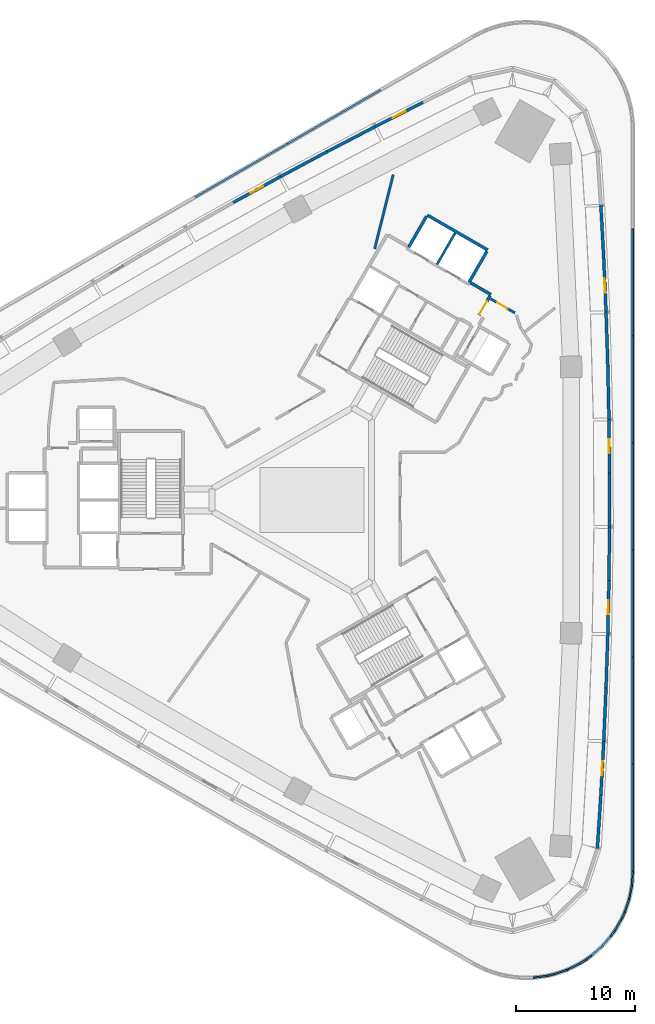
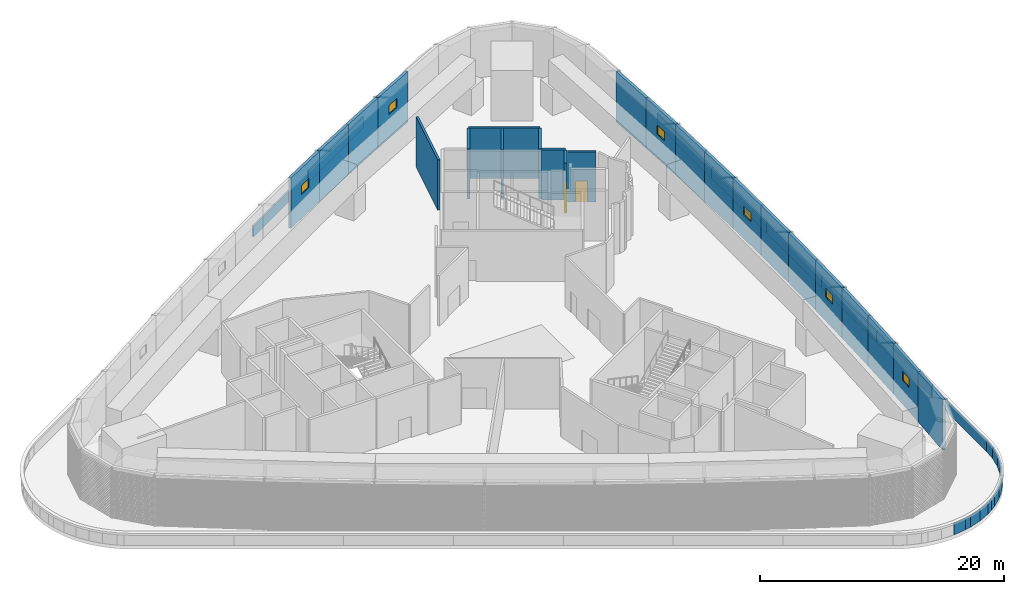
# One storey, part 6 of 11: 46 walls, 6 windows, 2 doors, 8 openings.
"""IFC4 building model written with IfcOpenShell, lengths in metres."""

import ifcopenshell
import ifcopenshell.guid

model = None  # the IFC model being written
_history = None  # IfcOwnerHistory: only IFC2X3 demands one
_inside = {}  # id of a spatial element -> (the spatial element, [elements in it])
_under = {}  # id of a project, library or spatial element -> (it, [spatial elements below it])
_declared = {}  # id of a project -> (the project, [libraries it declares])
_typed = {}  # id of a type object -> (the type object, [elements of that type])
_made_of = {}  # id of a material, layer set ... -> (it, [elements and type objects made of it])


def new_model(schema):
    """Start an empty IFC model of exactly this schema.

    Asked for "IFC4X3", IfcOpenShell would pick the latest addendum, in which some entities
    have other attributes; the version numbers below select the first issue.
    IFC2X3 requires an IfcOwnerHistory on every rooted entity: one is made here for all.
    """
    global model, _history
    if schema == "IFC4X3":
        model = ifcopenshell.file(schema_version=(4, 3, 0, 0))
    else:
        model = ifcopenshell.file(schema=schema)
    _inside.clear()
    _under.clear()
    _declared.clear()
    _typed.clear()
    _made_of.clear()
    _history = None
    if model.schema == "IFC2X3":
        org = make("IfcOrganization", Name="unknown")
        user = make(
            "IfcPersonAndOrganization",
            ThePerson=make("IfcPerson", FamilyName="unknown"),
            TheOrganization=org,
        )
        app = make(
            "IfcApplication",
            ApplicationDeveloper=org,
            Version="unknown",
            ApplicationFullName="unknown",
            ApplicationIdentifier="unknown",
        )
        _history = make(
            "IfcOwnerHistory",
            OwningUser=user,
            OwningApplication=app,
            ChangeAction="ADDED",
            CreationDate=0,
        )
    return model


def make(cls, **values):
    """One entity of the class cls with the attributes given. An attribute that is None is left unset."""
    return model.create_entity(
        cls, **{name: value for name, value in values.items() if value is not None}
    )


def rooted(cls, **values):
    """An entity with a GlobalId (a new one), such as an element, a storey or a relation."""
    return make(cls, GlobalId=ifcopenshell.guid.new(), OwnerHistory=_history, **values)


def si_unit(unit_type, name, prefix=None):
    """IfcSIUnit, for example si_unit("LENGTHUNIT", "METRE", prefix="MILLI")."""
    return make("IfcSIUnit", UnitType=unit_type, Prefix=prefix, Name=name)


def assignment(units):
    """IfcUnitAssignment: the units of a project."""
    return None if units is None else make("IfcUnitAssignment", Units=units)


def point(xyz):
    """IfcCartesianPoint."""
    return None if xyz is None else make("IfcCartesianPoint", Coordinates=xyz)


def direction(xyz):
    """IfcDirection."""
    return None if xyz is None else make("IfcDirection", DirectionRatios=xyz)


def frame(location, z_axis=None, x_axis=None):
    """IfcAxis2Placement3D, a coordinate frame: its origin and axes. An axis left out is left unset."""
    return make(
        "IfcAxis2Placement3D",
        Location=point(location),
        Axis=direction(z_axis),
        RefDirection=direction(x_axis),
    )


def frame_2d(location, x_axis=None):
    """IfcAxis2Placement2D, a coordinate frame in the plane: its origin and x axis."""
    return make(
        "IfcAxis2Placement2D", Location=point(location), RefDirection=direction(x_axis)
    )


def origin():
    """The frame at (0, 0, 0) with its axes left unset."""
    return frame((0.0, 0.0, 0.0))


def place(relative_to, where):
    """IfcLocalPlacement: puts the frame where relative to a parent placement (None: the world)."""
    return make(
        "IfcLocalPlacement", PlacementRelTo=relative_to, RelativePlacement=where
    )


def context(
    kind, dimensions, precision=None, world=None, true_north=None, identifier=None
):
    """IfcGeometricRepresentationContext, for example the 3D "Model" context."""
    return make(
        "IfcGeometricRepresentationContext",
        ContextIdentifier=identifier,
        ContextType=kind,
        CoordinateSpaceDimension=dimensions,
        Precision=precision,
        WorldCoordinateSystem=world,
        TrueNorth=true_north,
    )


def subcontext(parent, identifier, kind, view, scale=None):
    """IfcGeometricRepresentationSubContext, for example "Body" below "Model"."""
    return make(
        "IfcGeometricRepresentationSubContext",
        ContextIdentifier=identifier,
        ContextType=kind,
        ParentContext=parent,
        TargetScale=scale,
        TargetView=view,
    )


def project(units=None, contexts=None):
    """IfcProject with its units and contexts."""
    return rooted(
        "IfcProject",
        Name="project",
        RepresentationContexts=contexts,
        UnitsInContext=assignment(units),
    )


def spatial(cls, under=None, at=None, **own):
    """A site, building, storey or space (cls), placed at a placement, below another one or the project."""
    s = rooted(cls, ObjectPlacement=at, **own)
    if under is not None:
        _under.setdefault(under.id(), (under, []))[1].append(s)
    return s


def profile(cls, at=None, kind="AREA", **sizes):
    """A parametric profile (cls). Its sizes go by their IFC names, for example OverallWidth=200.0."""
    return make(cls, ProfileType=kind, Position=at, **sizes)


def rectangle(**sizes):
    """IfcRectangleProfileDef."""
    return profile("IfcRectangleProfileDef", **sizes)


def extrude(swept, where, along, depth):
    """IfcExtrudedAreaSolid: the profile swept, set in the frame where, extruded along a direction by depth."""
    return make(
        "IfcExtrudedAreaSolid",
        SweptArea=swept,
        Position=where,
        ExtrudedDirection=direction(along),
        Depth=depth,
    )


def shape(context_of_items, identifier, shape_type, items):
    """IfcShapeRepresentation: the items that make up one representation, for example the "Body"."""
    return make(
        "IfcShapeRepresentation",
        ContextOfItems=context_of_items,
        RepresentationIdentifier=identifier,
        RepresentationType=shape_type,
        Items=items,
    )


def material(Name=None, Category=None):
    """IfcMaterial."""
    return make("IfcMaterial", Name=Name, Category=Category)


def layer(
    of_material, thickness, ventilated=None, Name=None, Category=None, Priority=None
):
    """IfcMaterialLayer: one layer of a wall or slab, of a material (None: an air gap)."""
    return make(
        "IfcMaterialLayer",
        Material=of_material,
        LayerThickness=thickness,
        IsVentilated=ventilated,
        Name=Name,
        Category=Category,
        Priority=Priority,
    )


def layer_set(layers, Name=None):
    """IfcMaterialLayerSet."""
    return make("IfcMaterialLayerSet", MaterialLayers=layers, LayerSetName=Name)


def made_of(thing, what):
    """Note that an element or type object is made of a material, layer set ...; save() writes the relation."""
    if what is not None:
        _made_of.setdefault(what.id(), (what, []))[1].append(thing)
    return thing


def type_object(cls, material=None, **own):
    """A type object (cls), such as IfcWallType, which elements share."""
    return made_of(rooted(cls, **own), material)


def element(
    cls,
    number,
    at=None,
    inside=None,
    cuts=None,
    type_object=None,
    material=None,
    context=None,
    identifier="Body",
    shape_type=None,
    held_by="IfcProductDefinitionShape",
    body=None,
    shapes=None,
    **own,
):
    """One element of the class cls, such as IfcWall. Its Tag is "e" and its number.

    at: its placement. inside: the storey or other place that contains it. cuts: it is an
    opening in that element (IfcRelVoidsElement). A single representation is given by context,
    identifier, shape_type and body (its items); several are given by shapes. held_by: the class
    of the entity that holds the representations. save() writes the other relations.
    """
    e = rooted(cls, Tag="e%d" % number, ObjectPlacement=at, **own)
    if body is not None:
        shapes = [shape(context, identifier, shape_type, body)]
    if shapes is not None:
        e.Representation = make(held_by, Representations=shapes)
    if inside is not None:
        _inside.setdefault(inside.id(), (inside, []))[1].append(e)
    if cuts is not None:
        rooted(
            "IfcRelVoidsElement", RelatingBuildingElement=cuts, RelatedOpeningElement=e
        )
    if type_object is not None:
        _typed.setdefault(type_object.id(), (type_object, []))[1].append(e)
    return made_of(e, material)


def fill(opening, filler):
    """IfcRelFillsElement: the door or window that sits in an opening."""
    return rooted(
        "IfcRelFillsElement",
        RelatingOpeningElement=opening,
        RelatedBuildingElement=filler,
    )


def aggregate(whole, parts):
    """IfcRelAggregates: a whole, such as a stair, and the parts it consists of."""
    return rooted("IfcRelAggregates", RelatingObject=whole, RelatedObjects=parts)


def save(model, path):
    """Write the relations noted so far, then the file.

    IfcRelAggregates (storeys below a building ...), IfcRelContainedInSpatialStructure (elements
    in a storey), IfcRelDefinesByType, IfcRelAssociatesMaterial and IfcRelDeclares: one each for
    every whole, place, type object, material and project.
    """
    for whole, parts in _under.values():
        aggregate(whole, parts)
    for where, things in _inside.values():
        rooted(
            "IfcRelContainedInSpatialStructure",
            RelatedElements=things,
            RelatingStructure=where,
        )
    for kind, things in _typed.values():
        rooted("IfcRelDefinesByType", RelatedObjects=things, RelatingType=kind)
    for what, things in _made_of.values():
        rooted("IfcRelAssociatesMaterial", RelatedObjects=things, RelatingMaterial=what)
    for by, libraries in _declared.values():
        rooted("IfcRelDeclares", RelatingContext=by, RelatedDefinitions=libraries)
    model.write(path)


model = new_model("IFC4")

# Units and contexts
model_context = context("Model", 3, precision=1e-05, world=origin(), true_north=direction((0.0, 1.0)))
body_context = subcontext(model_context, "Body", "Model", "MODEL_VIEW")
ifc_project = project(units=[si_unit("LENGTHUNIT", "METRE"), si_unit("AREAUNIT", "SQUARE_METRE"), si_unit("VOLUMEUNIT", "CUBIC_METRE"), si_unit("PLANEANGLEUNIT", "RADIAN"), si_unit("MASSUNIT", "GRAM", prefix="KILO")], contexts=[model_context])

# Site, building, storey
site_placement = place(None, origin())
site = spatial("IfcSite", under=ifc_project, at=site_placement, CompositionType="ELEMENT")
building_placement = place(site_placement, origin())
building = spatial("IfcBuilding", under=site, at=building_placement, Name="Tamra Quay Hotel Tower", CompositionType="ELEMENT")
storey_placement = place(building_placement, frame((0.0, 0.0, 29.5)))
storey = spatial("IfcBuildingStorey", under=building, at=storey_placement, Name="L05", CompositionType="ELEMENT", Elevation=29.5)

# Walls
ifc_material_1 = material(Name="Concrete M70", Category="concrete")
ifc_layer_1 = layer(ifc_material_1, 0.199951171875)
ifc_layer_set_1 = layer_set([ifc_layer_1], Name="Concrete M70 core wall 200")
wall_type_1 = type_object("IfcWallType", Name="Concrete M70 core wall 200", PredefinedType="SHEAR", material=ifc_layer_set_1)
wall_1_placement = place(storey_placement, frame((10.48876953125, 19.76708984375, 0.0), z_axis=(0.0, 0.0, 1.0), x_axis=(0.499946628782, 0.866056215479, 0.0)))
element("IfcWall", 1, at=wall_1_placement, inside=storey, type_object=wall_type_1, Name="CW2", PredefinedType="SHEAR", context=body_context, shape_type="SweptSolid", body=[
    extrude(rectangle(XDim=3.048095703125, YDim=0.199951171875, at=frame_2d((1.52392578125, 0.0))), origin(), (0.0, 0.0, 1.0), 5.02490234375),
])
ifc_layer_2 = layer(ifc_material_1, 0.25)
ifc_layer_set_2 = layer_set([ifc_layer_2], Name="Concrete M70 core wall 250")
wall_type_2 = type_object("IfcWallType", Name="Concrete M70 core wall 250", PredefinedType="SHEAR", material=ifc_layer_set_2)
wall_2_placement = place(storey_placement, frame((9.672607421875, 23.9033203125, 0.0), z_axis=(0.0, 0.0, 1.0), x_axis=(0.86603616409, -0.499981362141, 0.0)))
element("IfcWall", 2, at=wall_2_placement, inside=storey, type_object=wall_type_2, Name="CW1", PredefinedType="SHEAR", context=body_context, shape_type="SweptSolid", body=[
    extrude(rectangle(XDim=5.849853515625, YDim=0.25, at=frame_2d((2.9248046875, 0.0))), origin(), (0.0, 0.0, 1.0), 5.02490234375),
])
for number, where, z_axis, x_axis, name in (
    (3, (8.12255859375, 21.21875, 0.0), (0.0, 0.0, 1.0), (0.499987686533, 0.866032512851, 0.0), "CW1"),
    (4, (14.67626953125, 20.869873046875, 0.0), (0.0, 0.0, 1.0), (-0.499987686533, -0.866032512851, 0.0), "CW1"),
):
    element("IfcWall", number, at=place(storey_placement, frame(where, z_axis=z_axis, x_axis=x_axis)), inside=storey, type_object=wall_type_2, Name=name, PredefinedType="SHEAR", context=body_context, shape_type="SweptSolid", body=[
        extrude(rectangle(XDim=2.974609375, YDim=0.25, at=frame_2d((1.4873046875, 0.0))), origin(), (0.0, 0.0, 1.0), 5.02490234375),
    ])
wall_3_placement = place(storey_placement, frame((13.29736328125, 18.23095703125, 0.0), z_axis=(0.0, 0.0, 1.0), x_axis=(0.866043531843, -0.499968599967, 0.0)))
element("IfcWall", 5, at=wall_3_placement, inside=storey, type_object=wall_type_2, Name="CW1", PredefinedType="SHEAR", context=body_context, shape_type="SweptSolid", body=[
    extrude(rectangle(XDim=1.974853515625, YDim=0.25, at=frame_2d((0.9873046875, 0.0))), origin(), (0.0, 0.0, 1.0), 5.02490234375),
])

# Wall, opening, door
wall_4_placement = place(storey_placement, frame((14.94482421875, 17.13525390625, 0.0), z_axis=(0.0, 0.0, 1.0), x_axis=(-0.499983108224, -0.866035156036, 0.0)))
wall_4 = element("IfcWall", 6, at=wall_4_placement, inside=storey, type_object=wall_type_2, Name="CW1", PredefinedType="SHEAR", context=body_context, shape_type="SweptSolid", body=[
    extrude(rectangle(XDim=1.86474609375, YDim=0.25, at=frame_2d((0.932373046875, 0.0))), origin(), (0.0, 0.0, 1.0), 5.02490234375),
])
opening_1_placement = place(wall_4_placement, frame((0.53466796875, 0.0, 0.0)))
opening_1 = element("IfcOpeningElement", 7, at=opening_1_placement, cuts=wall_4, Name="Opening FD3", PredefinedType="OPENING", context=body_context, shape_type="SweptSolid", body=[
    extrude(rectangle(XDim=1.25, YDim=2.10009765625, at=frame_2d((0.625, 1.050048828125))), frame((0.0, 0.135009765625, 0.0), z_axis=(0.0, -1.0, 0.0), x_axis=(1.0, 0.0, 0.0)), (0.0, 0.0, 1.0), 0.27001953125),
])
ifc_material_2 = material(Name="Core door FD3 1250x2100 LH")
door_type_1 = type_object("IfcDoorType", Name="Core door FD3 1250x2100 LH", OperationType="NOTDEFINED", PredefinedType="DOOR", material=ifc_material_2)
door_1_placement = place(opening_1_placement, origin())
door_1 = element("IfcDoor", 8, at=door_1_placement, inside=storey, type_object=door_type_1, Name="FD3", OperationType="SINGLE_SWING_LEFT", OverallHeight=2.10009765625, OverallWidth=1.25, PredefinedType="DOOR", context=body_context, shape_type="SweptSolid", body=[
    extrude(rectangle(XDim=1.25, YDim=2.10009765625, at=frame_2d((0.625, 1.050048828125))), frame((0.0, 0.02490234375, 0.0), z_axis=(0.0, -1.0, 0.0), x_axis=(1.0, 0.0, 0.0)), (0.0, 0.0, 1.0), 0.050048828125),
])
fill(opening_1, door_1)

# Wall
ifc_material_3 = material(Name="Blockwork masonry plastered", Category="masonry")
ifc_layer_3 = layer(ifc_material_3, 0.25)
ifc_layer_set_3 = layer_set([ifc_layer_3], Name="EXTERNAL WALL 250")
wall_type_3 = type_object("IfcWallType", Name="EXTERNAL WALL 250", PredefinedType="SOLIDWALL", material=ifc_layer_set_3)
wall_5_placement = place(storey_placement, frame((24.23828125, -24.75537109375, 0.0), z_axis=(0.0, 0.0, 1.0), x_axis=(-0.064788077766, -0.997899045485, 0.0)))
element("IfcWall", 9, at=wall_5_placement, inside=storey, type_object=wall_type_3, Name="EW1", PredefinedType="SOLIDWALL", context=body_context, shape_type="SweptSolid", body=[
    extrude(rectangle(XDim=4.503173828125, YDim=0.25, at=frame_2d((2.25146484375, 0.0))), origin(), (0.0, 0.0, 1.0), 5.02490234375),
])

# Wall, opening, window
wall_6_placement = place(storey_placement, frame((24.48193359375, -20.2568359375, 0.0), z_axis=(0.0, 0.0, 1.0), x_axis=(-0.054065771581, -0.998537376538, 0.0)))
wall_6 = element("IfcWall", 10, at=wall_6_placement, inside=storey, type_object=wall_type_3, Name="EW1", PredefinedType="SOLIDWALL", context=body_context, shape_type="SweptSolid", body=[
    extrude(rectangle(XDim=4.506591796875, YDim=0.25, at=frame_2d((2.25341796875, 0.0))), origin(), (0.0, 0.0, 1.0), 5.02490234375),
])
opening_2_placement = place(wall_6_placement, frame((1.6533203125, 0.0, 2.39990234375)))
opening_2 = element("IfcOpeningElement", 11, at=opening_2_placement, cuts=wall_6, Name="Opening PW1", PredefinedType="OPENING", context=body_context, shape_type="SweptSolid", body=[
    extrude(rectangle(XDim=1.199951171875, YDim=0.89990234375, at=frame_2d((0.60009765625, 0.449951171875))), frame((0.0, 0.135009765625, 0.0), z_axis=(0.0, -1.0, 0.0), x_axis=(1.0, 0.0, 0.0)), (0.0, 0.0, 1.0), 0.27001953125),
])
ifc_material_4 = material(Name="Aluminium window with clear glass", Category="aluminium")
window_type = type_object("IfcWindowType", Name="PLANT WINDOW 1200X900", PartitioningType="SINGLE_PANEL", PredefinedType="WINDOW", material=ifc_material_4)
window_1_placement = place(opening_2_placement, origin())
window_1 = element("IfcWindow", 12, at=window_1_placement, inside=storey, type_object=window_type, Name="PW1", OverallHeight=0.89990234375, OverallWidth=1.199951171875, PartitioningType="SINGLE_PANEL", PredefinedType="WINDOW", context=body_context, shape_type="SweptSolid", body=[
    extrude(rectangle(XDim=1.199951171875, YDim=0.89990234375, at=frame_2d((0.60009765625, 0.449951171875))), frame((0.0, 0.030029296875, 0.0), z_axis=(0.0, -1.0, 0.0), x_axis=(1.0, 0.0, 0.0)), (0.0, 0.0, 1.0), 0.06005859375),
])
fill(opening_2, window_1)

# Walls
wall_7_placement = place(storey_placement, frame((24.6767578125, -15.75830078125, 0.0), z_axis=(0.0, 0.0, 1.0), x_axis=(-0.043307853627, -0.999061774774, 0.0)))
element("IfcWall", 13, at=wall_7_placement, inside=storey, type_object=wall_type_3, Name="EW1", PredefinedType="SOLIDWALL", context=body_context, shape_type="SweptSolid", body=[
    extrude(rectangle(XDim=4.504150390625, YDim=0.25, at=frame_2d((2.251953125, 0.0))), origin(), (0.0, 0.0, 1.0), 5.02490234375),
])
wall_8_placement = place(storey_placement, frame((24.822998046875, -11.257568359375, 0.0), z_axis=(0.0, 0.0, 1.0), x_axis=(-0.032466606272, -0.99947282078, 0.0)))
element("IfcWall", 14, at=wall_8_placement, inside=storey, type_object=wall_type_3, Name="EW1", PredefinedType="SOLIDWALL", context=body_context, shape_type="SweptSolid", body=[
    extrude(rectangle(XDim=4.50439453125, YDim=0.25, at=frame_2d((2.252197265625, 0.0))), origin(), (0.0, 0.0, 1.0), 5.02490234375),
])

# Wall, opening, window
wall_9_placement = place(storey_placement, frame((24.92041015625, -6.75341796875, 0.0), z_axis=(0.0, 0.0, 1.0), x_axis=(-0.021615105942, -0.999766366305, 0.0)))
wall_9 = element("IfcWall", 15, at=wall_9_placement, inside=storey, type_object=wall_type_3, Name="EW1", PredefinedType="SOLIDWALL", context=body_context, shape_type="SweptSolid", body=[
    extrude(rectangle(XDim=4.506591796875, YDim=0.25, at=frame_2d((2.25341796875, 0.0))), origin(), (0.0, 0.0, 1.0), 5.02490234375),
])
opening_3_placement = place(wall_9_placement, frame((1.6533203125, 0.0, 2.39990234375)))
opening_3 = element("IfcOpeningElement", 16, at=opening_3_placement, cuts=wall_9, Name="Opening PW1", PredefinedType="OPENING", context=body_context, shape_type="SweptSolid", body=[
    extrude(rectangle(XDim=1.199951171875, YDim=0.89990234375, at=frame_2d((0.60009765625, 0.449951171875))), frame((0.0, 0.135009765625, 0.0), z_axis=(0.0, -1.0, 0.0), x_axis=(1.0, 0.0, 0.0)), (0.0, 0.0, 1.0), 0.27001953125),
])
window_2_placement = place(opening_3_placement, origin())
window_2 = element("IfcWindow", 17, at=window_2_placement, inside=storey, type_object=window_type, Name="PW1", OverallHeight=0.89990234375, OverallWidth=1.199951171875, PartitioningType="SINGLE_PANEL", PredefinedType="WINDOW", context=body_context, shape_type="SweptSolid", body=[
    extrude(rectangle(XDim=1.199951171875, YDim=0.89990234375, at=frame_2d((0.60009765625, 0.449951171875))), frame((0.0, 0.030029296875, 0.0), z_axis=(0.0, -1.0, 0.0), x_axis=(1.0, 0.0, 0.0)), (0.0, 0.0, 1.0), 0.06005859375),
])
fill(opening_3, window_2)

# Walls
for number, where, z_axis, x_axis, name in (
    (18, (24.96923828125, -2.250732421875, 0.0), (0.0, 0.0, 1.0), (-0.010840059026, -0.999941244834, 0.0), "EW1"),
    (19, (24.96923828125, 2.252197265625, 0.0), (0.0, 0.0, 1.0), (0.0, -1.0, 0.0), "EW1"),
):
    element("IfcWall", number, at=place(storey_placement, frame(where, z_axis=z_axis, x_axis=x_axis)), inside=storey, type_object=wall_type_3, Name=name, PredefinedType="SOLIDWALL", context=body_context, shape_type="SweptSolid", body=[
        extrude(rectangle(XDim=4.50439453125, YDim=0.25, at=frame_2d((2.252197265625, 0.0))), origin(), (0.0, 0.0, 1.0), 5.02490234375),
    ])

# Wall, opening, window
wall_10_placement = place(storey_placement, frame((24.92041015625, 6.7548828125, 0.0), z_axis=(0.0, 0.0, 1.0), x_axis=(0.010840059026, -0.999941244834, 0.0)))
wall_10 = element("IfcWall", 20, at=wall_10_placement, inside=storey, type_object=wall_type_3, Name="EW1", PredefinedType="SOLIDWALL", context=body_context, shape_type="SweptSolid", body=[
    extrude(rectangle(XDim=4.50439453125, YDim=0.25, at=frame_2d((2.252197265625, 0.0))), origin(), (0.0, 0.0, 1.0), 5.02490234375),
])
opening_4_placement = place(wall_10_placement, frame((1.652099609375, 0.0, 2.39990234375)))
opening_4 = element("IfcOpeningElement", 21, at=opening_4_placement, cuts=wall_10, Name="Opening PW1", PredefinedType="OPENING", context=body_context, shape_type="SweptSolid", body=[
    extrude(rectangle(XDim=1.199951171875, YDim=0.89990234375, at=frame_2d((0.60009765625, 0.449951171875))), frame((0.0, 0.135009765625, 0.0), z_axis=(0.0, -1.0, 0.0), x_axis=(1.0, 0.0, 0.0)), (0.0, 0.0, 1.0), 0.27001953125),
])
window_3_placement = place(opening_4_placement, origin())
window_3 = element("IfcWindow", 22, at=window_3_placement, inside=storey, type_object=window_type, Name="PW1", OverallHeight=0.89990234375, OverallWidth=1.199951171875, PartitioningType="SINGLE_PANEL", PredefinedType="WINDOW", context=body_context, shape_type="SweptSolid", body=[
    extrude(rectangle(XDim=1.199951171875, YDim=0.89990234375, at=frame_2d((0.60009765625, 0.449951171875))), frame((0.0, 0.030029296875, 0.0), z_axis=(0.0, -1.0, 0.0), x_axis=(1.0, 0.0, 0.0)), (0.0, 0.0, 1.0), 0.06005859375),
])
fill(opening_4, window_3)

# Walls
wall_11_placement = place(storey_placement, frame((24.822998046875, 11.259033203125, 0.0), z_axis=(0.0, 0.0, 1.0), x_axis=(0.021615105942, -0.999766366305, 0.0)))
element("IfcWall", 23, at=wall_11_placement, inside=storey, type_object=wall_type_3, Name="EW1", PredefinedType="SOLIDWALL", context=body_context, shape_type="SweptSolid", body=[
    extrude(rectangle(XDim=4.506591796875, YDim=0.25, at=frame_2d((2.25341796875, 0.0))), origin(), (0.0, 0.0, 1.0), 5.02490234375),
])
wall_12_placement = place(storey_placement, frame((24.6767578125, 15.759521484375, 0.0), z_axis=(0.0, 0.0, 1.0), x_axis=(0.032466606272, -0.99947282078, 0.0)))
element("IfcWall", 24, at=wall_12_placement, inside=storey, type_object=wall_type_3, Name="EW1", PredefinedType="SOLIDWALL", context=body_context, shape_type="SweptSolid", body=[
    extrude(rectangle(XDim=4.50439453125, YDim=0.25, at=frame_2d((2.252197265625, 0.0))), origin(), (0.0, 0.0, 1.0), 5.02490234375),
])

# Wall, opening, window
wall_13_placement = place(storey_placement, frame((24.481689453125, 20.25830078125, 0.0), z_axis=(0.0, 0.0, 1.0), x_axis=(0.043307853627, -0.999061774774, 0.0)))
wall_13 = element("IfcWall", 25, at=wall_13_placement, inside=storey, type_object=wall_type_3, Name="EW1", PredefinedType="SOLIDWALL", context=body_context, shape_type="SweptSolid", body=[
    extrude(rectangle(XDim=4.504150390625, YDim=0.25, at=frame_2d((2.251953125, 0.0))), origin(), (0.0, 0.0, 1.0), 5.02490234375),
])
opening_5_placement = place(wall_13_placement, frame((1.652099609375, 0.0, 2.39990234375)))
opening_5 = element("IfcOpeningElement", 26, at=opening_5_placement, cuts=wall_13, Name="Opening PW1", PredefinedType="OPENING", context=body_context, shape_type="SweptSolid", body=[
    extrude(rectangle(XDim=1.199951171875, YDim=0.89990234375, at=frame_2d((0.60009765625, 0.449951171875))), frame((0.0, 0.135009765625, 0.0), z_axis=(0.0, -1.0, 0.0), x_axis=(1.0, 0.0, 0.0)), (0.0, 0.0, 1.0), 0.27001953125),
])
window_4_placement = place(opening_5_placement, origin())
window_4 = element("IfcWindow", 27, at=window_4_placement, inside=storey, type_object=window_type, Name="PW1", OverallHeight=0.89990234375, OverallWidth=1.199951171875, PartitioningType="SINGLE_PANEL", PredefinedType="WINDOW", context=body_context, shape_type="SweptSolid", body=[
    extrude(rectangle(XDim=1.199951171875, YDim=0.89990234375, at=frame_2d((0.60009765625, 0.449951171875))), frame((0.0, 0.030029296875, 0.0), z_axis=(0.0, -1.0, 0.0), x_axis=(1.0, 0.0, 0.0)), (0.0, 0.0, 1.0), 0.06005859375),
])
fill(opening_5, window_4)

# Wall
wall_14_placement = place(storey_placement, frame((24.23828125, 24.7568359375, 0.0), z_axis=(0.0, 0.0, 1.0), x_axis=(0.054065771581, -0.998537376538, 0.0)))
element("IfcWall", 28, at=wall_14_placement, inside=storey, type_object=wall_type_3, Name="EW1", PredefinedType="SOLIDWALL", context=body_context, shape_type="SweptSolid", body=[
    extrude(rectangle(XDim=4.506591796875, YDim=0.25, at=frame_2d((2.25341796875, 0.0))), origin(), (0.0, 0.0, 1.0), 5.02490234375),
])

# Wall, opening, window
wall_15_placement = place(storey_placement, frame((5.302001953125, 31.330322265625, 0.0), z_axis=(0.0, 0.0, 1.0), x_axis=(0.891778772779, 0.452471679136, 0.0)))
wall_15 = element("IfcWall", 29, at=wall_15_placement, inside=storey, type_object=wall_type_3, Name="EW1", PredefinedType="SOLIDWALL", context=body_context, shape_type="SweptSolid", body=[
    extrude(rectangle(XDim=4.506591796875, YDim=0.25, at=frame_2d((2.25341796875, 0.0))), origin(), (0.0, 0.0, 1.0), 5.02490234375),
])
opening_6_placement = place(wall_15_placement, frame((1.6533203125, 0.0, 2.39990234375)))
opening_6 = element("IfcOpeningElement", 30, at=opening_6_placement, cuts=wall_15, Name="Opening PW1", PredefinedType="OPENING", context=body_context, shape_type="SweptSolid", body=[
    extrude(rectangle(XDim=1.199951171875, YDim=0.89990234375, at=frame_2d((0.60009765625, 0.449951171875))), frame((0.0, 0.135009765625, 0.0), z_axis=(0.0, -1.0, 0.0), x_axis=(1.0, 0.0, 0.0)), (0.0, 0.0, 1.0), 0.27001953125),
])
window_5_placement = place(opening_6_placement, origin())
window_5 = element("IfcWindow", 31, at=window_5_placement, inside=storey, type_object=window_type, Name="PW1", OverallHeight=0.89990234375, OverallWidth=1.199951171875, PartitioningType="SINGLE_PANEL", PredefinedType="WINDOW", context=body_context, shape_type="SweptSolid", body=[
    extrude(rectangle(XDim=1.199951171875, YDim=0.89990234375, at=frame_2d((0.60009765625, 0.449951171875))), frame((0.0, 0.030029296875, 0.0), z_axis=(0.0, -1.0, 0.0), x_axis=(1.0, 0.0, 0.0)), (0.0, 0.0, 1.0), 0.06005859375),
])
fill(opening_6, window_5)

# Walls
for number, where, z_axis, x_axis, name in (
    (32, (1.30859375, 29.249755859375, 0.0), (0.0, 0.0, 1.0), (0.886844679975, 0.462067650458, 0.0), "EW1"),
    (33, (-2.662109375, 27.126220703125, 0.0), (0.0, 0.0, 1.0), (0.88180770738, 0.471609125448, 0.0), "EW1"),
):
    element("IfcWall", number, at=place(storey_placement, frame(where, z_axis=z_axis, x_axis=x_axis)), inside=storey, type_object=wall_type_3, Name=name, PredefinedType="SOLIDWALL", context=body_context, shape_type="SweptSolid", body=[
        extrude(rectangle(XDim=4.50439453125, YDim=0.25, at=frame_2d((2.252197265625, 0.0))), origin(), (0.0, 0.0, 1.0), 5.02490234375),
    ])

# Wall, opening, window
wall_16_placement = place(storey_placement, frame((-6.611572265625, 24.95849609375, 0.0), z_axis=(0.0, 0.0, 1.0), x_axis=(0.876652480285, 0.481124130355, 0.0)))
wall_16 = element("IfcWall", 34, at=wall_16_placement, inside=storey, type_object=wall_type_3, Name="EW1", PredefinedType="SOLIDWALL", context=body_context, shape_type="SweptSolid", body=[
    extrude(rectangle(XDim=4.506591796875, YDim=0.25, at=frame_2d((2.25341796875, 0.0))), origin(), (0.0, 0.0, 1.0), 5.02490234375),
])
opening_7_placement = place(wall_16_placement, frame((1.6533203125, 0.0, 2.39990234375)))
opening_7 = element("IfcOpeningElement", 35, at=opening_7_placement, cuts=wall_16, Name="Opening PW1", PredefinedType="OPENING", context=body_context, shape_type="SweptSolid", body=[
    extrude(rectangle(XDim=1.199951171875, YDim=0.89990234375, at=frame_2d((0.60009765625, 0.449951171875))), frame((0.0, 0.135009765625, 0.0), z_axis=(0.0, -1.0, 0.0), x_axis=(1.0, 0.0, 0.0)), (0.0, 0.0, 1.0), 0.27001953125),
])
window_6_placement = place(opening_7_placement, origin())
window_6 = element("IfcWindow", 36, at=window_6_placement, inside=storey, type_object=window_type, Name="PW1", OverallHeight=0.89990234375, OverallWidth=1.199951171875, PartitioningType="SINGLE_PANEL", PredefinedType="WINDOW", context=body_context, shape_type="SweptSolid", body=[
    extrude(rectangle(XDim=1.199951171875, YDim=0.89990234375, at=frame_2d((0.60009765625, 0.449951171875))), frame((0.0, 0.030029296875, 0.0), z_axis=(0.0, -1.0, 0.0), x_axis=(1.0, 0.0, 0.0)), (0.0, 0.0, 1.0), 0.06005859375),
])
fill(opening_7, window_6)

# Walls
ifc_material_5 = material(Name="Reinforced concrete M60 with render", Category="concrete")
ifc_layer_4 = layer(ifc_material_5, 0.14990234375)
ifc_layer_set_4 = layer_set([ifc_layer_4], Name="PARAPET WALL 150")
wall_type_4 = type_object("IfcWallType", Name="PARAPET WALL 150", PredefinedType="PARAPET", material=ifc_layer_set_4)
for number, where, z_axis, x_axis, name in (
    (37, (-2.033935546875, 29.90966796875, 0.0), (0.0, 0.0, 1.0), (0.865868993684, 0.500270812437, 0.0), "PW0"),
    (38, (-9.819580078125, 25.411376953125, 0.0), (0.0, 0.0, 1.0), (0.865868993684, 0.500270812437, 0.0), "PW0"),
):
    element("IfcWall", number, at=place(storey_placement, frame(where, z_axis=z_axis, x_axis=x_axis)), inside=storey, type_object=wall_type_4, Name=name, PredefinedType="PARAPET", context=body_context, shape_type="SweptSolid", body=[
        extrude(rectangle(XDim=8.99169921875, YDim=0.14990234375, at=frame_2d((4.495849609375, 0.0))), origin(), (0.0, 0.0, 1.0), 1.10009765625),
    ])
wall_17_placement = place(storey_placement, frame((19.74609375, -39.9296875, 0.0), z_axis=(0.0, 0.0, 1.0), x_axis=(-0.991456412916, -0.13043841952, 0.0)))
element("IfcWall", 39, at=wall_17_placement, inside=storey, type_object=wall_type_4, Name="PW0", PredefinedType="PARAPET", context=body_context, shape_type="SweptSolid", body=[
    extrude(rectangle(XDim=1.17724609375, YDim=0.14990234375, at=frame_2d((0.588623046875, 0.0))), origin(), (0.0, 0.0, 1.0), 1.10009765625),
])
wall_18_placement = place(storey_placement, frame((20.312255859375, -39.797119140625, 0.0), z_axis=(0.0, 0.0, 1.0), x_axis=(-0.973850383023, -0.227190297955, 0.0)))
element("IfcWall", 40, at=wall_18_placement, inside=storey, type_object=wall_type_4, Name="PW0", PredefinedType="PARAPET", context=body_context, shape_type="SweptSolid", body=[
    extrude(rectangle(XDim=0.5888671875, YDim=0.14990234375, at=frame_2d((0.29443359375, 0.0))), origin(), (0.0, 0.0, 1.0), 1.10009765625),
])
for number, where, z_axis, x_axis, name in (
    (41, (21.419921875, -39.4208984375, 0.0), (0.0, 0.0, 1.0), (-0.946926856189, -0.321449107992, 0.0), "PW0"),
    (42, (22.466796875, -38.90380859375, 0.0), (0.0, 0.0, 1.0), (-0.896860728939, -0.442313048515, 0.0), "PW0"),
):
    element("IfcWall", number, at=place(storey_placement, frame(where, z_axis=z_axis, x_axis=x_axis)), inside=storey, type_object=wall_type_4, Name=name, PredefinedType="PARAPET", context=body_context, shape_type="SweptSolid", body=[
        extrude(rectangle(XDim=1.17724609375, YDim=0.14990234375, at=frame_2d((0.588623046875, 0.0))), origin(), (0.0, 0.0, 1.0), 1.10009765625),
    ])
for number, where, z_axis, x_axis, name in (
    (43, (22.96044921875, -38.596435546875, 0.0), (0.0, 0.0, 1.0), (-0.84911445764, -0.528208896012, 0.0), "PW0"),
    (44, (23.43505859375, -38.256103515625, 0.0), (0.0, 0.0, 1.0), (-0.812751676393, -0.582610257823, 0.0), "PW0"),
):
    element("IfcWall", number, at=place(storey_placement, frame(where, z_axis=z_axis, x_axis=x_axis)), inside=storey, type_object=wall_type_4, Name=name, PredefinedType="PARAPET", context=body_context, shape_type="SweptSolid", body=[
        extrude(rectangle(XDim=0.5888671875, YDim=0.14990234375, at=frame_2d((0.29443359375, 0.0))), origin(), (0.0, 0.0, 1.0), 1.10009765625),
    ])
for number, where, z_axis, x_axis, name in (
    (45, (24.314453125, -37.484375, 0.0), (0.0, 0.0, 1.0), (-0.751741076684, -0.659458378994, 0.0), "PW0"),
    (46, (25.083740234375, -36.606201171875, 0.0), (0.0, 0.0, 1.0), (-0.659238357877, -0.751934031351, 0.0), "PW0"),
):
    element("IfcWall", number, at=place(storey_placement, frame(where, z_axis=z_axis, x_axis=x_axis)), inside=storey, type_object=wall_type_4, Name=name, PredefinedType="PARAPET", context=body_context, shape_type="SweptSolid", body=[
        extrude(rectangle(XDim=1.17724609375, YDim=0.14990234375, at=frame_2d((0.588623046875, 0.0))), origin(), (0.0, 0.0, 1.0), 1.10009765625),
    ])
wall_19_placement = place(storey_placement, frame((25.42236328125, -36.13330078125, 0.0), z_axis=(0.0, 0.0, 1.0), x_axis=(-0.582687773295, -0.812696104859, 0.0)))
element("IfcWall", 47, at=wall_19_placement, inside=storey, type_object=wall_type_4, Name="PW0", PredefinedType="PARAPET", context=body_context, shape_type="SweptSolid", body=[
    extrude(rectangle(XDim=0.589111328125, YDim=0.14990234375, at=frame_2d((0.29443359375, 0.0))), origin(), (0.0, 0.0, 1.0), 1.10009765625),
])
wall_20_placement = place(storey_placement, frame((26.0068359375, -35.1201171875, 0.0), z_axis=(0.0, 0.0, 1.0), x_axis=(-0.499997709859, -0.866026725994, 0.0)))
element("IfcWall", 48, at=wall_20_placement, inside=storey, type_object=wall_type_4, Name="PW0", PredefinedType="PARAPET", context=body_context, shape_type="SweptSolid", body=[
    extrude(rectangle(XDim=1.17724609375, YDim=0.14990234375, at=frame_2d((0.588623046875, 0.0))), origin(), (0.0, 0.0, 1.0), 1.10009765625),
])
wall_21_placement = place(storey_placement, frame((26.24658203125, -34.590087890625, 0.0), z_axis=(0.0, 0.0, 1.0), x_axis=(-0.412896964795, -0.910777742626, 0.0)))
element("IfcWall", 49, at=wall_21_placement, inside=storey, type_object=wall_type_4, Name="PW0", PredefinedType="PARAPET", context=body_context, shape_type="SweptSolid", body=[
    extrude(rectangle(XDim=0.5888671875, YDim=0.14990234375, at=frame_2d((0.29443359375, 0.0))), origin(), (0.0, 0.0, 1.0), 1.10009765625),
])
for number, where, z_axis, x_axis, name in (
    (50, (26.622314453125, -33.482177734375, 0.0), (0.0, 0.0, 1.0), (-0.321449107992, -0.946926856189, 0.0), "PW0"),
    (51, (26.849365234375, -32.3369140625, 0.0), (0.0, 0.0, 1.0), (-0.194919673677, -0.980819209036, 0.0), "PW0"),
):
    element("IfcWall", number, at=place(storey_placement, frame(where, z_axis=z_axis, x_axis=x_axis)), inside=storey, type_object=wall_type_4, Name=name, PredefinedType="PARAPET", context=body_context, shape_type="SweptSolid", body=[
        extrude(rectangle(XDim=1.17724609375, YDim=0.14990234375, at=frame_2d((0.588623046875, 0.0))), origin(), (0.0, 0.0, 1.0), 1.10009765625),
    ])
wall_22_placement = place(storey_placement, frame((26.925048828125, -31.172119140625, 0.0), z_axis=(0.0, 0.0, 1.0), x_axis=(-0.065335058302, -0.997863382511, 0.0)))
element("IfcWall", 52, at=wall_22_placement, inside=storey, type_object=wall_type_4, Name="PW0", PredefinedType="PARAPET", context=body_context, shape_type="SweptSolid", body=[
    extrude(rectangle(XDim=1.177001953125, YDim=0.14990234375, at=frame_2d((0.58837890625, 0.0))), origin(), (0.0, 0.0, 1.0), 1.10009765625),
])
wall_23_placement = place(storey_placement, frame((26.92236328125, -22.18505859375, 0.0), z_axis=(0.0, 0.0, 1.0), x_axis=(0.00029866144, -0.999999955401, 0.0)))
element("IfcWall", 53, at=wall_23_placement, inside=storey, type_object=wall_type_4, Name="PW0", PredefinedType="PARAPET", context=body_context, shape_type="SweptSolid", body=[
    extrude(rectangle(XDim=8.991943359375, YDim=0.14990234375, at=frame_2d((4.49609375, 0.0))), origin(), (0.0, 0.0, 1.0), 1.10009765625),
])
for number, where, z_axis, x_axis, name in (
    (54, (26.91943359375, -13.193359375, 0.0), (0.0, 0.0, 1.0), (0.000325821324, -0.99999994692, 0.0), "PW0"),
    (55, (26.916748046875, -4.20166015625, 0.0), (0.0, 0.0, 1.0), (0.00029866955, -0.999999955398, 0.0), "PW0"),
):
    element("IfcWall", number, at=place(storey_placement, frame(where, z_axis=z_axis, x_axis=x_axis)), inside=storey, type_object=wall_type_4, Name=name, PredefinedType="PARAPET", context=body_context, shape_type="SweptSolid", body=[
        extrude(rectangle(XDim=8.99169921875, YDim=0.14990234375, at=frame_2d((4.495849609375, 0.0))), origin(), (0.0, 0.0, 1.0), 1.10009765625),
    ])
wall_24_placement = place(storey_placement, frame((26.9140625, 4.790283203125, 0.0), z_axis=(0.0, 0.0, 1.0), x_axis=(0.00029866144, -0.999999955401, 0.0)))
element("IfcWall", 56, at=wall_24_placement, inside=storey, type_object=wall_type_4, Name="PW0", PredefinedType="PARAPET", context=body_context, shape_type="SweptSolid", body=[
    extrude(rectangle(XDim=8.991943359375, YDim=0.14990234375, at=frame_2d((4.49609375, 0.0))), origin(), (0.0, 0.0, 1.0), 1.10009765625),
])
for number, where, z_axis, x_axis, name in (
    (57, (26.9111328125, 13.781982421875, 0.0), (0.0, 0.0, 1.0), (0.000325821324, -0.99999994692, 0.0), "PW0"),
    (58, (26.908447265625, 22.773681640625, 0.0), (0.0, 0.0, 1.0), (0.00029866955, -0.999999955398, 0.0), "PW0"),
):
    element("IfcWall", number, at=place(storey_placement, frame(where, z_axis=z_axis, x_axis=x_axis)), inside=storey, type_object=wall_type_4, Name=name, PredefinedType="PARAPET", context=body_context, shape_type="SweptSolid", body=[
        extrude(rectangle(XDim=8.99169921875, YDim=0.14990234375, at=frame_2d((4.495849609375, 0.0))), origin(), (0.0, 0.0, 1.0), 1.10009765625),
    ])

# Wall, opening, door
ifc_material_6 = material(Name="Partition corridor wall")
ifc_layer_5 = layer(ifc_material_6, 0.199951171875)
ifc_layer_set_5 = layer_set([ifc_layer_5], Name="Partition corridor wall")
wall_type_5 = type_object("IfcWallType", Name="Partition corridor wall", PredefinedType="PARTITIONING", material=ifc_layer_set_5)
wall_25_placement = place(storey_placement, frame((15.005126953125, 16.869873046875, 0.0), z_axis=(0.0, 0.0, 1.0), x_axis=(0.866005508897, -0.500034457374, 0.0)))
wall_25 = element("IfcWall", 59, at=wall_25_placement, inside=storey, type_object=wall_type_5, Name="W-C", PredefinedType="PARTITIONING", context=body_context, shape_type="SweptSolid", body=[
    extrude(rectangle(XDim=2.325439453125, YDim=0.199951171875, at=frame_2d((1.16259765625, 0.0))), origin(), (0.0, 0.0, 1.0), 5.02490234375),
])
opening_8_placement = place(wall_25_placement, frame((0.6328125, 0.0, 0.0)))
opening_8 = element("IfcOpeningElement", 60, at=opening_8_placement, cuts=wall_25, Name="Opening L05-D006", PredefinedType="OPENING", context=body_context, shape_type="SweptSolid", body=[
    extrude(rectangle(XDim=1.0, YDim=2.10009765625, at=frame_2d((0.5, 1.050048828125))), frame((0.0, 0.10986328125, 0.0), z_axis=(0.0, -1.0, 0.0), x_axis=(1.0, 0.0, 0.0)), (0.0, 0.0, 1.0), 0.219970703125),
])
ifc_material_7 = material(Name="Door service room 1000x2100")
door_type_2 = type_object("IfcDoorType", Name="Door service room 1000x2100", OperationType="NOTDEFINED", PredefinedType="DOOR", material=ifc_material_7)
door_2_placement = place(opening_8_placement, origin())
door_2 = element("IfcDoor", 61, at=door_2_placement, inside=storey, type_object=door_type_2, Name="L05-D006", OperationType="SINGLE_SWING_LEFT", OverallHeight=2.10009765625, OverallWidth=1.0, PredefinedType="DOOR", context=body_context, shape_type="SweptSolid", body=[
    extrude(rectangle(XDim=1.0, YDim=2.10009765625, at=frame_2d((0.5, 1.050048828125))), frame((0.0, 0.02490234375, 0.0), z_axis=(0.0, -1.0, 0.0), x_axis=(1.0, 0.0, 0.0)), (0.0, 0.0, 1.0), 0.050048828125),
])
fill(opening_8, door_2)

# Wall
ifc_material_8 = material(Name="Partition party wall")
ifc_layer_6 = layer(ifc_material_8, 0.199951171875)
ifc_layer_set_6 = layer_set([ifc_layer_6], Name="Partition party wall")
wall_type_6 = type_object("IfcWallType", Name="Partition party wall", PredefinedType="PARTITIONING", material=ifc_layer_set_6)
wall_26_placement = place(storey_placement, frame((5.260986328125, 21.077880859375, 0.0), z_axis=(0.0, 0.0, 1.0), x_axis=(0.242123360052, 0.97024547333, 0.0)))
element("IfcWall", 62, at=wall_26_placement, inside=storey, type_object=wall_type_6, Name="W-P", PredefinedType="PARTITIONING", context=body_context, shape_type="SweptSolid", body=[
    extrude(rectangle(XDim=6.409912109375, YDim=0.199951171875, at=frame_2d((3.205078125, 0.0))), origin(), (0.0, 0.0, 1.0), 5.02490234375),
])

save(model, "model.ifc")
